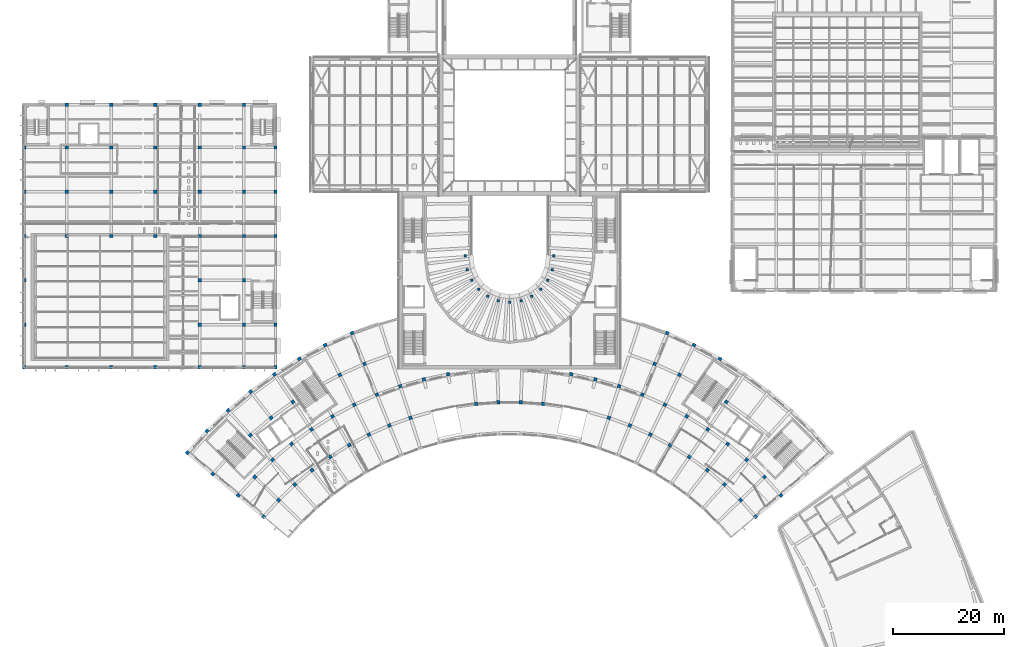
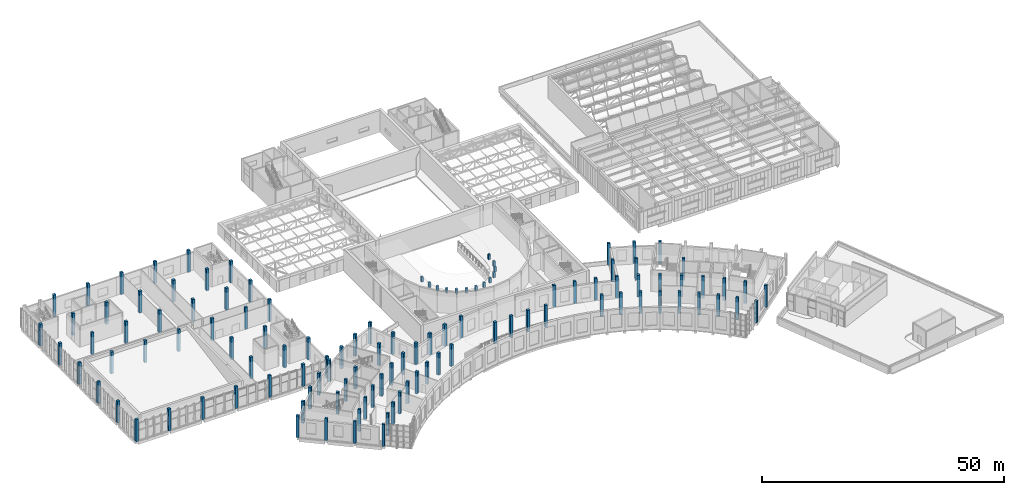
# One storey, part 1 of 132: 117 columns.
"""IFC4 building model written with IfcOpenShell, lengths in metres."""

from ifc_helpers import new_model, si_unit, direction, frame, origin, origin_2d, place, context, subcontext, project, spatial, rectangle, extrude, material, material_profile, profile_set, type_object, element, save


model = new_model("IFC4")

# Units and contexts
model_context = context("Model", 3, precision=1e-05, world=origin(), true_north=direction((0.0, 1.0)))
body_context = subcontext(model_context, "Body", "Model", "MODEL_VIEW")
ifc_project = project(units=[si_unit("LENGTHUNIT", "METRE"), si_unit("AREAUNIT", "SQUARE_METRE"), si_unit("VOLUMEUNIT", "CUBIC_METRE"), si_unit("PLANEANGLEUNIT", "RADIAN"), si_unit("MASSUNIT", "GRAM", prefix="KILO")], contexts=[model_context])

# Site, building, storey
site_placement = place(None, origin())
site = spatial("IfcSite", under=ifc_project, at=site_placement, CompositionType="ELEMENT")
building_placement = place(site_placement, origin())
building = spatial("IfcBuilding", under=site, at=building_placement, Name="Lunette Opera House", CompositionType="ELEMENT")
storey_placement = place(building_placement, frame((0.0, 0.0, 17.0)))
storey = spatial("IfcBuildingStorey", under=building, at=storey_placement, Name="L03", CompositionType="ELEMENT", Elevation=17.0)

# Columns
ifc_material_1 = material(Name="Concrete C40/50", Category="concrete")
ifc_material_profile_1 = material_profile(ifc_material_1, rectangle(XDim=0.449951171875, YDim=0.449951171875, at=origin_2d()), Name="RC COLUMN 450X450")
ifc_profile_set_1 = profile_set([ifc_material_profile_1], Name="Concrete C40/50")
column_type_1 = type_object("IfcColumnType", Name="RC COLUMN 450X450", PredefinedType="COLUMN", material=ifc_profile_set_1)
for number, where, z_axis, x_axis, name in (
    (1, (88.0, 84.458984375, 0.0), (0.0, 0.0, 1.0), (1.0, 0.0, 0.0), "col-AU-L03-TCL04-1"),
    (2, (88.3310546875, 81.945068359375, 0.0), (0.0, 0.0, 1.0), (1.0, 0.0, 0.0), "col-AU-L03-TCL04-2"),
    (3, (89.1240234375, 80.030029296875, 0.0), (0.0, 0.0, 1.0), (1.0, 0.0, 0.0), "col-AU-L03-TCL04-3"),
    (4, (90.385986328125, 78.385986328125, 0.0), (0.0, 0.0, 1.0), (1.0, 0.0, 0.0), "col-AU-L03-TCL04-4"),
    (5, (92.030029296875, 77.1240234375, 0.0), (0.0, 0.0, 1.0), (1.0, 0.0, 0.0), "col-AU-L03-TCL04-5"),
    (6, (93.945068359375, 76.3310546875, 0.0), (0.0, 0.0, 1.0), (1.0, 0.0, 0.0), "col-AU-L03-TCL04-6"),
    (7, (96.0, 76.06005859375, 0.0), (0.0, 0.0, 1.0), (1.0, 0.0, 0.0), "col-AU-L03-TCL04-7"),
    (8, (98.054931640625, 76.3310546875, 0.0), (0.0, 0.0, 1.0), (1.0, 0.0, 0.0), "col-AU-L03-TCL04-8"),
    (9, (99.969970703125, 77.1240234375, 0.0), (0.0, 0.0, 1.0), (1.0, 0.0, 0.0), "col-AU-L03-TCL04-9"),
    (10, (101.614013671875, 78.385986328125, 0.0), (0.0, 0.0, 1.0), (1.0, 0.0, 0.0), "col-AU-L03-TCL04-10"),
    (11, (102.8759765625, 80.030029296875, 0.0), (0.0, 0.0, 1.0), (1.0, 0.0, 0.0), "col-AU-L03-TCL04-11"),
    (12, (103.6689453125, 81.945068359375, 0.0), (0.0, 0.0, 1.0), (1.0, 0.0, 0.0), "col-AU-L03-TCL04-12"),
    (13, (104.0, 84.458984375, 0.0), (0.0, 0.0, 1.0), (1.0, 0.0, 0.0), "col-AU-L03-TCL04-13"),
):
    element("IfcColumn", number, at=place(storey_placement, frame(where, z_axis=z_axis, x_axis=x_axis)), inside=storey, type_object=column_type_1, Name=name, PredefinedType="COLUMN", context=body_context, shape_type="SweptSolid", body=[
        extrude(rectangle(XDim=0.449951171875, YDim=0.449951171875, at=origin_2d()), origin(), (0.0, 0.0, 1.0), 1.300048828125),
    ])
ifc_material_2 = material(Name="Concrete C35/45", Category="concrete")
ifc_material_profile_2 = material_profile(ifc_material_2, rectangle(XDim=0.60009765625, YDim=0.60009765625, at=origin_2d()), Name="RC COLUMN 600X600")
ifc_profile_set_2 = profile_set([ifc_material_profile_2], Name="Concrete C35/45")
column_type_2 = type_object("IfcColumnType", Name="RC COLUMN 600X600", PredefinedType="COLUMN", material=ifc_profile_set_2)
for number, where, z_axis, x_axis, name in (
    (14, (51.569091796875, 37.281982421875, 0.0), (0.0, 0.0, 1.0), (0.642787609687, 0.766044443119, 0.0), "col-FC-L03-AR-M1-RL-01"),
    (15, (54.278076171875, 40.2900390625, 0.0), (0.0, 0.0, 1.0), (0.694658370459, 0.719339800339, 0.0), "col-FC-L03-AR-M1-RL-02"),
    (16, (57.18994140625, 43.10205078125, 0.0), (0.0, 0.0, 1.0), (0.743144825477, 0.669130606359, 0.0), "col-FC-L03-AR-M1-RL-03"),
    (17, (60.2919921875, 45.705078125, 0.0), (0.0, 0.0, 1.0), (0.788010753607, 0.615661475326, 0.0), "col-FC-L03-AR-M1-RL-04"),
    (18, (63.56689453125, 48.083984375, 0.0), (0.0, 0.0, 1.0), (0.829037572555, 0.559192903471, 0.0), "col-FC-L03-AR-M1-RL-05"),
    (19, (67.0, 50.22900390625, 0.0), (0.0, 0.0, 1.0), (0.866025403784, 0.5, 0.0), "col-FC-L03-AR-M1-RL-06"),
    (20, (70.573974609375, 52.1298828125, 0.0), (0.0, 0.0, 1.0), (0.898794046299, 0.438371146789, 0.0), "col-FC-L03-AR-M1-RL-07"),
    (21, (74.27294921875, 53.777099609375, 0.0), (0.0, 0.0, 1.0), (0.927183854567, 0.374606593416, 0.0), "col-FC-L03-AR-M1-RL-08"),
    (22, (78.076904296875, 55.160888671875, 0.0), (0.0, 0.0, 1.0), (0.951056516295, 0.309016994375, 0.0), "col-FC-L03-AR-M1-RL-09"),
    (23, (89.93701171875, 57.681884765625, 0.0), (0.0, 0.0, 1.0), (0.994521895368, 0.104528463268, 0.0), "col-FC-L03-AR-M1-RL-12"),
    (24, (93.97607421875, 57.965087890625, 0.0), (0.0, 0.0, 1.0), (0.999390827019, 0.034899496703, 0.0), "col-FC-L03-AR-M1-RL-13"),
    (25, (98.02392578125, 57.965087890625, 0.0), (0.0, 0.0, 1.0), (0.999390827019, -0.034899496703, 0.0), "col-FC-L03-AR-M1-RL-14"),
    (26, (102.06298828125, 57.681884765625, 0.0), (0.0, 0.0, 1.0), (0.994521895368, -0.104528463268, 0.0), "col-FC-L03-AR-M1-RL-15"),
    (27, (113.923095703125, 55.160888671875, 0.0), (0.0, 0.0, 1.0), (0.951056516295, -0.309016994375, 0.0), "col-FC-L03-AR-M1-RL-18"),
    (28, (117.72705078125, 53.777099609375, 0.0), (0.0, 0.0, 1.0), (0.927183854567, -0.374606593416, 0.0), "col-FC-L03-AR-M1-RL-19"),
    (29, (121.426025390625, 52.1298828125, 0.0), (0.0, 0.0, 1.0), (0.898794046299, -0.438371146789, 0.0), "col-FC-L03-AR-M1-RL-20"),
    (30, (125.0, 50.22900390625, 0.0), (0.0, 0.0, 1.0), (0.866025403784, -0.5, 0.0), "col-FC-L03-AR-M1-RL-21"),
    (31, (128.43310546875, 48.083984375, 0.0), (0.0, 0.0, 1.0), (0.829037572555, -0.559192903471, 0.0), "col-FC-L03-AR-M1-RL-22"),
    (32, (131.7080078125, 45.705078125, 0.0), (0.0, 0.0, 1.0), (0.788010753607, -0.615661475326, 0.0), "col-FC-L03-AR-M1-RL-23"),
    (33, (134.81005859375, 43.10205078125, 0.0), (0.0, 0.0, 1.0), (0.743144825477, -0.669130606359, 0.0), "col-FC-L03-AR-M1-RL-24"),
    (34, (137.721923828125, 40.2900390625, 0.0), (0.0, 0.0, 1.0), (0.694658370459, -0.719339800339, 0.0), "col-FC-L03-AR-M1-RL-25"),
    (35, (140.430908203125, 37.281982421875, 0.0), (0.0, 0.0, 1.0), (0.642787609687, -0.766044443119, 0.0), "col-FC-L03-AR-M1-RL-26"),
    (36, (46.972900390625, 41.137939453125, 0.0), (0.0, 0.0, 1.0), (0.642787609687, 0.766044443119, 0.0), "col-FC-L03-AR-B-RL-01"),
    (37, (49.9619140625, 44.4580078125, 0.0), (0.0, 0.0, 1.0), (0.694658370459, 0.719339800339, 0.0), "col-FC-L03-AR-B-RL-02"),
    (38, (53.176025390625, 47.56103515625, 0.0), (0.0, 0.0, 1.0), (0.743144825477, 0.669130606359, 0.0), "col-FC-L03-AR-B-RL-03"),
    (39, (56.597900390625, 50.43310546875, 0.0), (0.0, 0.0, 1.0), (0.788010753607, 0.615661475326, 0.0), "col-FC-L03-AR-B-RL-04"),
    (40, (60.2119140625, 53.05810546875, 0.0), (0.0, 0.0, 1.0), (0.829037572555, 0.559192903471, 0.0), "col-FC-L03-AR-B-RL-05"),
    (41, (64.0, 55.426025390625, 0.0), (0.0, 0.0, 1.0), (0.866025403784, 0.5, 0.0), "col-FC-L03-AR-B-RL-06"),
    (42, (67.944091796875, 57.52294921875, 0.0), (0.0, 0.0, 1.0), (0.898794046299, 0.438371146789, 0.0), "col-FC-L03-AR-B-RL-07"),
    (43, (72.02490234375, 59.340087890625, 0.0), (0.0, 0.0, 1.0), (0.927183854567, 0.374606593416, 0.0), "col-FC-L03-AR-B-RL-08"),
    (44, (76.222900390625, 60.867919921875, 0.0), (0.0, 0.0, 1.0), (0.951056516295, 0.309016994375, 0.0), "col-FC-L03-AR-B-RL-09"),
    (45, (80.51708984375, 62.09912109375, 0.0), (0.0, 0.0, 1.0), (0.970295726276, 0.2419218956, 0.0), "col-FC-L03-AR-B-RL-10"),
    (46, (84.886962890625, 63.028076171875, 0.0), (0.0, 0.0, 1.0), (0.984807753012, 0.173648177667, 0.0), "col-FC-L03-AR-B-RL-11"),
    (47, (107.113037109375, 63.028076171875, 0.0), (0.0, 0.0, 1.0), (0.984807753012, -0.173648177667, 0.0), "col-FC-L03-AR-B-RL-16"),
    (48, (111.48291015625, 62.09912109375, 0.0), (0.0, 0.0, 1.0), (0.970295726276, -0.2419218956, 0.0), "col-FC-L03-AR-B-RL-17"),
    (49, (115.777099609375, 60.867919921875, 0.0), (0.0, 0.0, 1.0), (0.951056516295, -0.309016994375, 0.0), "col-FC-L03-AR-B-RL-18"),
    (50, (119.97509765625, 59.340087890625, 0.0), (0.0, 0.0, 1.0), (0.927183854567, -0.374606593416, 0.0), "col-FC-L03-AR-B-RL-19"),
    (51, (124.055908203125, 57.52294921875, 0.0), (0.0, 0.0, 1.0), (0.898794046299, -0.438371146789, 0.0), "col-FC-L03-AR-B-RL-20"),
    (52, (128.0, 55.426025390625, 0.0), (0.0, 0.0, 1.0), (0.866025403784, -0.5, 0.0), "col-FC-L03-AR-B-RL-21"),
    (53, (131.7880859375, 53.05810546875, 0.0), (0.0, 0.0, 1.0), (0.829037572555, -0.559192903471, 0.0), "col-FC-L03-AR-B-RL-22"),
    (54, (135.402099609375, 50.43310546875, 0.0), (0.0, 0.0, 1.0), (0.788010753607, -0.615661475326, 0.0), "col-FC-L03-AR-B-RL-23"),
    (55, (138.823974609375, 47.56103515625, 0.0), (0.0, 0.0, 1.0), (0.743144825477, -0.669130606359, 0.0), "col-FC-L03-AR-B-RL-24"),
    (56, (142.0380859375, 44.4580078125, 0.0), (0.0, 0.0, 1.0), (0.694658370459, -0.719339800339, 0.0), "col-FC-L03-AR-B-RL-25"),
    (57, (145.027099609375, 41.137939453125, 0.0), (0.0, 0.0, 1.0), (0.642787609687, -0.766044443119, 0.0), "col-FC-L03-AR-B-RL-26"),
    (58, (42.376953125, 44.9951171875, 0.0), (0.0, 0.0, 1.0), (0.642787609687, 0.766044443119, 0.0), "col-FC-L03-AR-M2-RL-01"),
    (59, (49.160888671875, 52.02001953125, 0.0), (0.0, 0.0, 1.0), (0.743144825477, 0.669130606359, 0.0), "col-FC-L03-AR-M2-RL-03"),
    (60, (52.904052734375, 55.160888671875, 0.0), (0.0, 0.0, 1.0), (0.788010753607, 0.615661475326, 0.0), "col-FC-L03-AR-M2-RL-04"),
    (61, (56.85595703125, 58.032958984375, 0.0), (0.0, 0.0, 1.0), (0.829037572555, 0.559192903471, 0.0), "col-FC-L03-AR-M2-RL-05"),
    (62, (65.31396484375, 62.916015625, 0.0), (0.0, 0.0, 1.0), (0.898794046299, 0.438371146789, 0.0), "col-FC-L03-AR-M2-RL-07"),
    (63, (69.778076171875, 64.903076171875, 0.0), (0.0, 0.0, 1.0), (0.927183854567, 0.374606593416, 0.0), "col-FC-L03-AR-M2-RL-08"),
    (64, (122.221923828125, 64.903076171875, 0.0), (0.0, 0.0, 1.0), (0.927183854567, -0.374606593416, 0.0), "col-FC-L03-AR-M2-RL-19"),
    (65, (126.68603515625, 62.916015625, 0.0), (0.0, 0.0, 1.0), (0.898794046299, -0.438371146789, 0.0), "col-FC-L03-AR-M2-RL-20"),
    (66, (135.14404296875, 58.032958984375, 0.0), (0.0, 0.0, 1.0), (0.829037572555, -0.559192903471, 0.0), "col-FC-L03-AR-M2-RL-22"),
    (67, (37.781005859375, 48.85205078125, 0.0), (0.0, 0.0, 1.0), (0.642787609687, 0.766044443119, 0.0), "col-FC-L03-AR-C-RL-01"),
    (68, (41.330078125, 52.7939453125, 0.0), (0.0, 0.0, 1.0), (0.694658370459, 0.719339800339, 0.0), "col-FC-L03-AR-C-RL-02"),
    (69, (45.14599609375, 56.47900390625, 0.0), (0.0, 0.0, 1.0), (0.743144825477, 0.669130606359, 0.0), "col-FC-L03-AR-C-RL-03"),
    (70, (49.2099609375, 59.888916015625, 0.0), (0.0, 0.0, 1.0), (0.788010753607, 0.615661475326, 0.0), "col-FC-L03-AR-C-RL-04"),
    (71, (53.5009765625, 63.007080078125, 0.0), (0.0, 0.0, 1.0), (0.829037572555, 0.559192903471, 0.0), "col-FC-L03-AR-C-RL-05"),
    (72, (58.0, 65.818115234375, 0.0), (0.0, 0.0, 1.0), (0.866025403784, 0.5, 0.0), "col-FC-L03-AR-C-RL-06"),
    (73, (62.68408203125, 68.30810546875, 0.0), (0.0, 0.0, 1.0), (0.898794046299, 0.438371146789, 0.0), "col-FC-L03-AR-C-RL-07"),
    (74, (67.530029296875, 70.466064453125, 0.0), (0.0, 0.0, 1.0), (0.927183854567, 0.374606593416, 0.0), "col-FC-L03-AR-C-RL-08"),
    (75, (124.469970703125, 70.466064453125, 0.0), (0.0, 0.0, 1.0), (0.927183854567, -0.374606593416, 0.0), "col-FC-L03-AR-C-RL-19"),
    (76, (129.31591796875, 68.30810546875, 0.0), (0.0, 0.0, 1.0), (0.898794046299, -0.438371146789, 0.0), "col-FC-L03-AR-C-RL-20"),
    (77, (134.0, 65.818115234375, 0.0), (0.0, 0.0, 1.0), (0.866025403784, -0.5, 0.0), "col-FC-L03-AR-C-RL-21"),
    (78, (8.300048828125, 64.300048828125, 0.0), (0.0, 0.0, 1.0), (1.0, 0.0, 0.0), "col-RW-L03-C00"),
    (79, (8.300048828125, 72.0, 0.0), (0.0, 0.0, 1.0), (1.0, 0.0, 0.0), "col-RW-L03-C01"),
    (80, (8.300048828125, 80.0, 0.0), (0.0, 0.0, 1.0), (1.0, 0.0, 0.0), "col-RW-L03-C02"),
    (81, (8.300048828125, 88.0, 0.0), (0.0, 0.0, 1.0), (1.0, 0.0, 0.0), "col-RW-L03-C03"),
    (82, (8.300048828125, 96.0, 0.0), (0.0, 0.0, 1.0), (1.0, 0.0, 0.0), "col-RW-L03-C04"),
    (83, (8.300048828125, 104.0, 0.0), (0.0, 0.0, 1.0), (1.0, 0.0, 0.0), "col-RW-L03-C05"),
    (84, (16.0, 64.300048828125, 0.0), (0.0, 0.0, 1.0), (1.0, 0.0, 0.0), "col-RW-L03-C10"),
    (85, (16.0, 88.0, 0.0), (0.0, 0.0, 1.0), (1.0, 0.0, 0.0), "col-RW-L03-C13"),
    (86, (16.0, 96.0, 0.0), (0.0, 0.0, 1.0), (1.0, 0.0, 0.0), "col-RW-L03-C14"),
    (87, (16.0, 104.0, 0.0), (0.0, 0.0, 1.0), (1.0, 0.0, 0.0), "col-RW-L03-C15"),
    (88, (16.0, 111.699951171875, 0.0), (0.0, 0.0, 1.0), (1.0, 0.0, 0.0), "col-RW-L03-C16"),
    (89, (24.0, 64.300048828125, 0.0), (0.0, 0.0, 1.0), (1.0, 0.0, 0.0), "col-RW-L03-C20"),
    (90, (24.0, 88.0, 0.0), (0.0, 0.0, 1.0), (1.0, 0.0, 0.0), "col-RW-L03-C23"),
    (91, (24.0, 96.0, 0.0), (0.0, 0.0, 1.0), (1.0, 0.0, 0.0), "col-RW-L03-C24"),
    (92, (24.0, 104.0, 0.0), (0.0, 0.0, 1.0), (1.0, 0.0, 0.0), "col-RW-L03-C25"),
    (93, (24.0, 111.699951171875, 0.0), (0.0, 0.0, 1.0), (1.0, 0.0, 0.0), "col-RW-L03-C26"),
    (94, (32.0, 64.300048828125, 0.0), (0.0, 0.0, 1.0), (1.0, 0.0, 0.0), "col-RW-L03-C30"),
    (95, (32.0, 88.0, 0.0), (0.0, 0.0, 1.0), (1.0, 0.0, 0.0), "col-RW-L03-C33"),
    (96, (32.0, 96.0, 0.0), (0.0, 0.0, 1.0), (1.0, 0.0, 0.0), "col-RW-L03-C34"),
    (97, (32.0, 104.0, 0.0), (0.0, 0.0, 1.0), (1.0, 0.0, 0.0), "col-RW-L03-C35"),
    (98, (32.0, 111.699951171875, 0.0), (0.0, 0.0, 1.0), (1.0, 0.0, 0.0), "col-RW-L03-C36"),
    (99, (40.0, 64.300048828125, 0.0), (0.0, 0.0, 1.0), (1.0, 0.0, 0.0), "col-RW-L03-C40"),
    (100, (40.0, 72.0, 0.0), (0.0, 0.0, 1.0), (1.0, 0.0, 0.0), "col-RW-L03-C41"),
    (101, (40.0, 80.0, 0.0), (0.0, 0.0, 1.0), (1.0, 0.0, 0.0), "col-RW-L03-C42"),
    (102, (40.0, 88.0, 0.0), (0.0, 0.0, 1.0), (1.0, 0.0, 0.0), "col-RW-L03-C43"),
    (103, (40.0, 96.0, 0.0), (0.0, 0.0, 1.0), (1.0, 0.0, 0.0), "col-RW-L03-C44"),
    (104, (40.0, 104.0, 0.0), (0.0, 0.0, 1.0), (1.0, 0.0, 0.0), "col-RW-L03-C45"),
    (105, (40.0, 111.699951171875, 0.0), (0.0, 0.0, 1.0), (1.0, 0.0, 0.0), "col-RW-L03-C46"),
    (106, (48.0, 64.300048828125, 0.0), (0.0, 0.0, 1.0), (1.0, 0.0, 0.0), "col-RW-L03-C50"),
    (107, (48.0, 72.0, 0.0), (0.0, 0.0, 1.0), (1.0, 0.0, 0.0), "col-RW-L03-C51"),
    (108, (48.0, 80.0, 0.0), (0.0, 0.0, 1.0), (1.0, 0.0, 0.0), "col-RW-L03-C52"),
    (109, (48.0, 88.0, 0.0), (0.0, 0.0, 1.0), (1.0, 0.0, 0.0), "col-RW-L03-C53"),
    (110, (48.0, 96.0, 0.0), (0.0, 0.0, 1.0), (1.0, 0.0, 0.0), "col-RW-L03-C54"),
    (111, (48.0, 104.0, 0.0), (0.0, 0.0, 1.0), (1.0, 0.0, 0.0), "col-RW-L03-C55"),
    (112, (48.0, 111.699951171875, 0.0), (0.0, 0.0, 1.0), (1.0, 0.0, 0.0), "col-RW-L03-C56"),
    (113, (53.699951171875, 64.300048828125, 0.0), (0.0, 0.0, 1.0), (1.0, 0.0, 0.0), "col-RW-L03-C60"),
    (114, (53.699951171875, 72.0, 0.0), (0.0, 0.0, 1.0), (1.0, 0.0, 0.0), "col-RW-L03-C61"),
    (115, (53.699951171875, 88.0, 0.0), (0.0, 0.0, 1.0), (1.0, 0.0, 0.0), "col-RW-L03-C63"),
    (116, (53.699951171875, 96.0, 0.0), (0.0, 0.0, 1.0), (1.0, 0.0, 0.0), "col-RW-L03-C64"),
    (117, (53.699951171875, 104.0, 0.0), (0.0, 0.0, 1.0), (1.0, 0.0, 0.0), "col-RW-L03-C65"),
):
    element("IfcColumn", number, at=place(storey_placement, frame(where, z_axis=z_axis, x_axis=x_axis)), inside=storey, type_object=column_type_2, Name=name, PredefinedType="COLUMN", context=body_context, shape_type="SweptSolid", body=[
        extrude(rectangle(XDim=0.60009765625, YDim=0.60009765625, at=origin_2d()), origin(), (0.0, 0.0, 1.0), 5.5),
    ])

save(model, "model.ifc")
